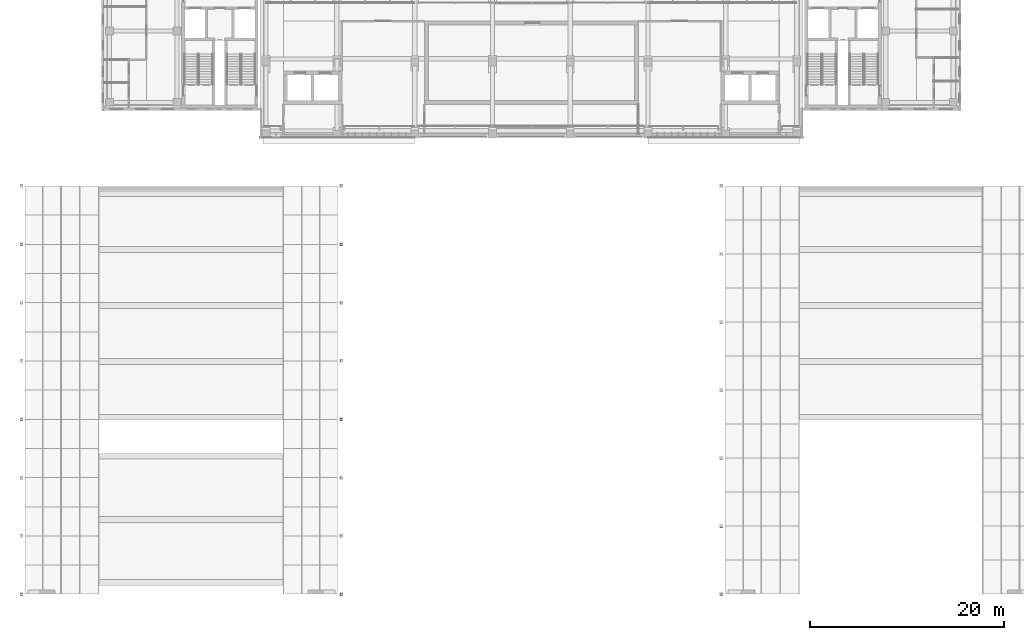
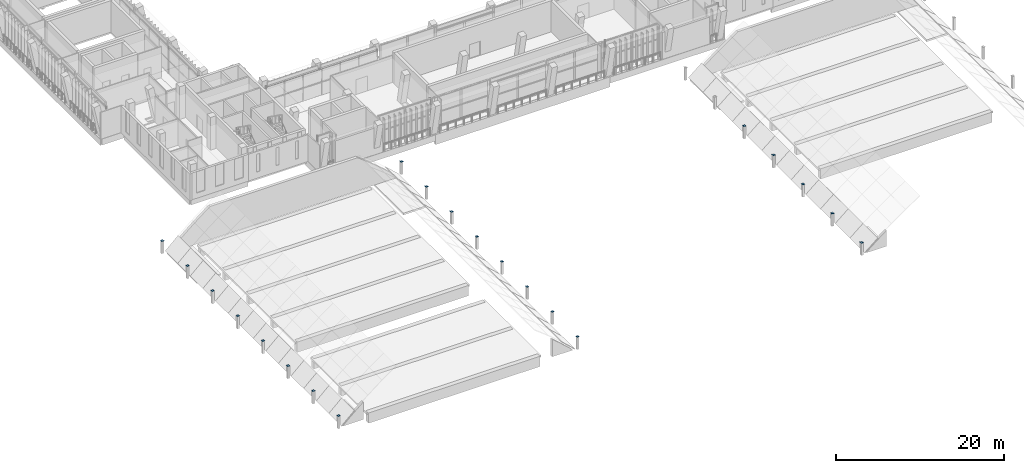
# One storey, part 55 of 89: 21 plates.
"""IFC4 building model written with IfcOpenShell, lengths in metres."""

from ifc_helpers import new_model, si_unit, direction, frame, origin, origin_2d, place, context, subcontext, project, spatial, rectangle, extrude, material, layer, layer_set, type_object, element, save


model = new_model("IFC4")

# Units and contexts
model_context = context("Model", 3, precision=1e-05, world=origin(), true_north=direction((0.0, 1.0)))
body_context = subcontext(model_context, "Body", "Model", "MODEL_VIEW")
ifc_project = project(units=[si_unit("LENGTHUNIT", "METRE"), si_unit("AREAUNIT", "SQUARE_METRE"), si_unit("VOLUMEUNIT", "CUBIC_METRE"), si_unit("PLANEANGLEUNIT", "RADIAN"), si_unit("MASSUNIT", "GRAM", prefix="KILO")], contexts=[model_context])

# Site, building, storey
site_placement = place(None, origin())
site = spatial("IfcSite", under=ifc_project, at=site_placement, CompositionType="ELEMENT")
building_placement = place(site_placement, origin())
building = spatial("IfcBuilding", under=site, at=building_placement, Name="Lantern Court Media Centre", CompositionType="ELEMENT")
storey_placement = place(building_placement, frame((0.0, 0.0, 14.39990234375)))
storey = spatial("IfcBuildingStorey", under=building, at=storey_placement, Name="L03", CompositionType="ELEMENT", Elevation=14.39990234375)

# Plates
ifc_material = material(Name="Steel S355J2 (EN 10025-2)", Category="steel")
ifc_layer = layer(ifc_material, 0.02001953125)
ifc_layer_set = layer_set([ifc_layer], Name="Steel S355J2 (EN 10025-2)")
plate_type = type_object("IfcPlateType", Name="Steel end plate 20", PredefinedType="SHEET", material=ifc_layer_set)
for number, where, z_axis, x_axis, name in (
    (1, (-0.4501953125, -2.0, 1.800048828125), (0.0, 0.0, 1.0), (1.0, 0.0, 0.0), "Cinema Hall pinnacle cap plate west 1"),
    (2, (-0.4501953125, 4.0, 1.800048828125), (0.0, 0.0, 1.0), (1.0, 0.0, 0.0), "Cinema Hall pinnacle cap plate west 2"),
    (3, (-0.4501953125, 10.0, 1.800048828125), (0.0, 0.0, 1.0), (1.0, 0.0, 0.0), "Cinema Hall pinnacle cap plate west 3"),
    (4, (-0.4501953125, 16.0, 1.800048828125), (0.0, 0.0, 1.0), (1.0, 0.0, 0.0), "Cinema Hall pinnacle cap plate west 4"),
    (5, (-0.4501953125, 22.0, 1.800048828125), (0.0, 0.0, 1.0), (1.0, 0.0, 0.0), "Cinema Hall pinnacle cap plate west 5"),
    (6, (-0.4501953125, 28.0, 1.800048828125), (0.0, 0.0, 1.0), (1.0, 0.0, 0.0), "Cinema Hall pinnacle cap plate west 6"),
    (7, (-0.4501953125, 34.0, 1.800048828125), (0.0, 0.0, 1.0), (1.0, 0.0, 0.0), "Cinema Hall pinnacle cap plate west 7"),
    (8, (-0.4501953125, 40.0, 1.800048828125), (0.0, 0.0, 1.0), (1.0, 0.0, 0.0), "Cinema Hall pinnacle cap plate west 8"),
    (9, (32.4501953125, -2.0, 1.800048828125), (0.0, 0.0, 1.0), (1.0, 0.0, 0.0), "Cinema Hall pinnacle cap plate east 1"),
    (10, (32.4501953125, 4.0, 1.800048828125), (0.0, 0.0, 1.0), (1.0, 0.0, 0.0), "Cinema Hall pinnacle cap plate east 2"),
    (11, (32.4501953125, 10.0, 1.800048828125), (0.0, 0.0, 1.0), (1.0, 0.0, 0.0), "Cinema Hall pinnacle cap plate east 3"),
    (12, (32.4501953125, 16.0, 1.800048828125), (0.0, 0.0, 1.0), (1.0, 0.0, 0.0), "Cinema Hall pinnacle cap plate east 4"),
    (13, (32.4501953125, 22.0, 1.800048828125), (0.0, 0.0, 1.0), (1.0, 0.0, 0.0), "Cinema Hall pinnacle cap plate east 5"),
    (14, (32.4501953125, 28.0, 1.800048828125), (0.0, 0.0, 1.0), (1.0, 0.0, 0.0), "Cinema Hall pinnacle cap plate east 6"),
    (15, (32.4501953125, 34.0, 1.800048828125), (0.0, 0.0, 1.0), (1.0, 0.0, 0.0), "Cinema Hall pinnacle cap plate east 7"),
    (16, (32.4501953125, 40.0, 1.800048828125), (0.0, 0.0, 1.0), (1.0, 0.0, 0.0), "Cinema Hall pinnacle cap plate east 8"),
    (17, (71.5498046875, -2.0, 1.800048828125), (0.0, 0.0, 1.0), (1.0, 0.0, 0.0), "Studio Hall pinnacle cap plate west 1"),
    (18, (71.5498046875, 5.0, 1.800048828125), (0.0, 0.0, 1.0), (1.0, 0.0, 0.0), "Studio Hall pinnacle cap plate west 2"),
    (19, (71.5498046875, 12.0, 1.800048828125), (0.0, 0.0, 1.0), (1.0, 0.0, 0.0), "Studio Hall pinnacle cap plate west 3"),
    (20, (71.5498046875, 19.0, 1.800048828125), (0.0, 0.0, 1.0), (1.0, 0.0, 0.0), "Studio Hall pinnacle cap plate west 4"),
    (21, (71.5498046875, 26.0, 1.800048828125), (0.0, 0.0, 1.0), (1.0, 0.0, 0.0), "Studio Hall pinnacle cap plate west 5"),
):
    element("IfcPlate", number, at=place(storey_placement, frame(where, z_axis=z_axis, x_axis=x_axis)), inside=storey, type_object=plate_type, Name=name, PredefinedType="SHEET", context=body_context, shape_type="SweptSolid", body=[
        extrude(rectangle(XDim=0.300048828125, YDim=0.300048828125, at=origin_2d()), origin(), (0.0, 0.0, 1.0), 0.02001953125),
    ])

save(model, "model.ifc")
